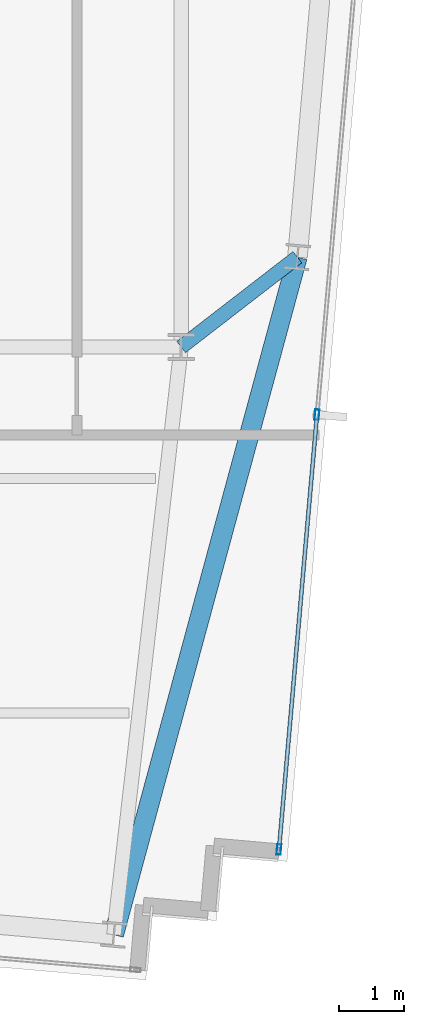
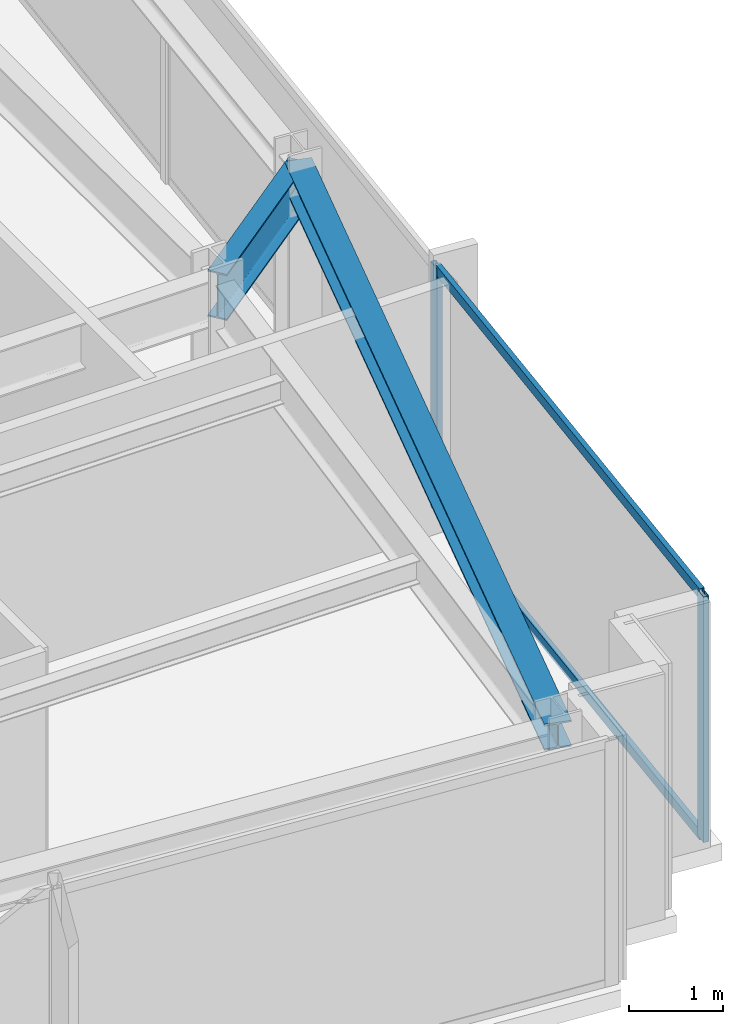
# One storey, part 16 of 33: 4 members, 2 beams, 1 element without a shape of its own.
"""IFC4 building model written with IfcOpenShell, lengths in metres."""

import ifcopenshell
import ifcopenshell.guid

model = None  # the IFC model being written
_history = None  # IfcOwnerHistory: only IFC2X3 demands one
_inside = {}  # id of a spatial element -> (the spatial element, [elements in it])
_under = {}  # id of a project, library or spatial element -> (it, [spatial elements below it])
_declared = {}  # id of a project -> (the project, [libraries it declares])
_typed = {}  # id of a type object -> (the type object, [elements of that type])
_made_of = {}  # id of a material, layer set ... -> (it, [elements and type objects made of it])


def new_model(schema):
    """Start an empty IFC model of exactly this schema.

    Asked for "IFC4X3", IfcOpenShell would pick the latest addendum, in which some entities
    have other attributes; the version numbers below select the first issue.
    IFC2X3 requires an IfcOwnerHistory on every rooted entity: one is made here for all.
    """
    global model, _history
    if schema == "IFC4X3":
        model = ifcopenshell.file(schema_version=(4, 3, 0, 0))
    else:
        model = ifcopenshell.file(schema=schema)
    _inside.clear()
    _under.clear()
    _declared.clear()
    _typed.clear()
    _made_of.clear()
    _history = None
    if model.schema == "IFC2X3":
        org = make("IfcOrganization", Name="unknown")
        user = make(
            "IfcPersonAndOrganization",
            ThePerson=make("IfcPerson", FamilyName="unknown"),
            TheOrganization=org,
        )
        app = make(
            "IfcApplication",
            ApplicationDeveloper=org,
            Version="unknown",
            ApplicationFullName="unknown",
            ApplicationIdentifier="unknown",
        )
        _history = make(
            "IfcOwnerHistory",
            OwningUser=user,
            OwningApplication=app,
            ChangeAction="ADDED",
            CreationDate=0,
        )
    return model


def make(cls, **values):
    """One entity of the class cls with the attributes given. An attribute that is None is left unset."""
    return model.create_entity(
        cls, **{name: value for name, value in values.items() if value is not None}
    )


def rooted(cls, **values):
    """An entity with a GlobalId (a new one), such as an element, a storey or a relation."""
    return make(cls, GlobalId=ifcopenshell.guid.new(), OwnerHistory=_history, **values)


def si_unit(unit_type, name, prefix=None):
    """IfcSIUnit, for example si_unit("LENGTHUNIT", "METRE", prefix="MILLI")."""
    return make("IfcSIUnit", UnitType=unit_type, Prefix=prefix, Name=name)


def assignment(units):
    """IfcUnitAssignment: the units of a project."""
    return None if units is None else make("IfcUnitAssignment", Units=units)


def point(xyz):
    """IfcCartesianPoint."""
    return None if xyz is None else make("IfcCartesianPoint", Coordinates=xyz)


def direction(xyz):
    """IfcDirection."""
    return None if xyz is None else make("IfcDirection", DirectionRatios=xyz)


def frame(location, z_axis=None, x_axis=None):
    """IfcAxis2Placement3D, a coordinate frame: its origin and axes. An axis left out is left unset."""
    return make(
        "IfcAxis2Placement3D",
        Location=point(location),
        Axis=direction(z_axis),
        RefDirection=direction(x_axis),
    )


def frame_2d(location, x_axis=None):
    """IfcAxis2Placement2D, a coordinate frame in the plane: its origin and x axis."""
    return make(
        "IfcAxis2Placement2D", Location=point(location), RefDirection=direction(x_axis)
    )


def origin():
    """The frame at (0, 0, 0) with its axes left unset."""
    return frame((0.0, 0.0, 0.0))


def origin_2d():
    """The frame at (0, 0) in the plane with its x axis left unset."""
    return frame_2d((0.0, 0.0))


def place(relative_to, where):
    """IfcLocalPlacement: puts the frame where relative to a parent placement (None: the world)."""
    return make(
        "IfcLocalPlacement", PlacementRelTo=relative_to, RelativePlacement=where
    )


def context(
    kind, dimensions, precision=None, world=None, true_north=None, identifier=None
):
    """IfcGeometricRepresentationContext, for example the 3D "Model" context."""
    return make(
        "IfcGeometricRepresentationContext",
        ContextIdentifier=identifier,
        ContextType=kind,
        CoordinateSpaceDimension=dimensions,
        Precision=precision,
        WorldCoordinateSystem=world,
        TrueNorth=true_north,
    )


def subcontext(parent, identifier, kind, view, scale=None):
    """IfcGeometricRepresentationSubContext, for example "Body" below "Model"."""
    return make(
        "IfcGeometricRepresentationSubContext",
        ContextIdentifier=identifier,
        ContextType=kind,
        ParentContext=parent,
        TargetScale=scale,
        TargetView=view,
    )


def project(units=None, contexts=None):
    """IfcProject with its units and contexts."""
    return rooted(
        "IfcProject",
        Name="project",
        RepresentationContexts=contexts,
        UnitsInContext=assignment(units),
    )


def spatial(cls, under=None, at=None, **own):
    """A site, building, storey or space (cls), placed at a placement, below another one or the project."""
    s = rooted(cls, ObjectPlacement=at, **own)
    if under is not None:
        _under.setdefault(under.id(), (under, []))[1].append(s)
    return s


def profile(cls, at=None, kind="AREA", **sizes):
    """A parametric profile (cls). Its sizes go by their IFC names, for example OverallWidth=200.0."""
    return make(cls, ProfileType=kind, Position=at, **sizes)


def hollow_rectangle(**sizes):
    """IfcRectangleHollowProfileDef."""
    return profile("IfcRectangleHollowProfileDef", **sizes)


def i_section(**sizes):
    """IfcIShapeProfileDef."""
    return profile("IfcIShapeProfileDef", **sizes)


def extrude(swept, where, along, depth):
    """IfcExtrudedAreaSolid: the profile swept, set in the frame where, extruded along a direction by depth."""
    return make(
        "IfcExtrudedAreaSolid",
        SweptArea=swept,
        Position=where,
        ExtrudedDirection=direction(along),
        Depth=depth,
    )


def shape(context_of_items, identifier, shape_type, items):
    """IfcShapeRepresentation: the items that make up one representation, for example the "Body"."""
    return make(
        "IfcShapeRepresentation",
        ContextOfItems=context_of_items,
        RepresentationIdentifier=identifier,
        RepresentationType=shape_type,
        Items=items,
    )


def material(Name=None, Category=None):
    """IfcMaterial."""
    return make("IfcMaterial", Name=Name, Category=Category)


def material_profile(
    of_material, cross_section, Name=None, Category=None, Priority=None
):
    """IfcMaterialProfile: a cross section and its material."""
    return make(
        "IfcMaterialProfile",
        Name=Name,
        Material=of_material,
        Profile=cross_section,
        Priority=Priority,
        Category=Category,
    )


def profile_set(profiles, Name=None, composite=None):
    """IfcMaterialProfileSet."""
    return make(
        "IfcMaterialProfileSet",
        Name=Name,
        MaterialProfiles=profiles,
        CompositeProfile=composite,
    )


def made_of(thing, what):
    """Note that an element or type object is made of a material, layer set ...; save() writes the relation."""
    if what is not None:
        _made_of.setdefault(what.id(), (what, []))[1].append(thing)
    return thing


def type_object(cls, material=None, **own):
    """A type object (cls), such as IfcWallType, which elements share."""
    return made_of(rooted(cls, **own), material)


def element(
    cls,
    number,
    at=None,
    inside=None,
    cuts=None,
    type_object=None,
    material=None,
    context=None,
    identifier="Body",
    shape_type=None,
    held_by="IfcProductDefinitionShape",
    body=None,
    shapes=None,
    **own,
):
    """One element of the class cls, such as IfcWall. Its Tag is "e" and its number.

    at: its placement. inside: the storey or other place that contains it. cuts: it is an
    opening in that element (IfcRelVoidsElement). A single representation is given by context,
    identifier, shape_type and body (its items); several are given by shapes. held_by: the class
    of the entity that holds the representations. save() writes the other relations.
    """
    e = rooted(cls, Tag="e%d" % number, ObjectPlacement=at, **own)
    if body is not None:
        shapes = [shape(context, identifier, shape_type, body)]
    if shapes is not None:
        e.Representation = make(held_by, Representations=shapes)
    if inside is not None:
        _inside.setdefault(inside.id(), (inside, []))[1].append(e)
    if cuts is not None:
        rooted(
            "IfcRelVoidsElement", RelatingBuildingElement=cuts, RelatedOpeningElement=e
        )
    if type_object is not None:
        _typed.setdefault(type_object.id(), (type_object, []))[1].append(e)
    return made_of(e, material)


def aggregate(whole, parts):
    """IfcRelAggregates: a whole, such as a stair, and the parts it consists of."""
    return rooted("IfcRelAggregates", RelatingObject=whole, RelatedObjects=parts)


def save(model, path):
    """Write the relations noted so far, then the file.

    IfcRelAggregates (storeys below a building ...), IfcRelContainedInSpatialStructure (elements
    in a storey), IfcRelDefinesByType, IfcRelAssociatesMaterial and IfcRelDeclares: one each for
    every whole, place, type object, material and project.
    """
    for whole, parts in _under.values():
        aggregate(whole, parts)
    for where, things in _inside.values():
        rooted(
            "IfcRelContainedInSpatialStructure",
            RelatedElements=things,
            RelatingStructure=where,
        )
    for kind, things in _typed.values():
        rooted("IfcRelDefinesByType", RelatedObjects=things, RelatingType=kind)
    for what, things in _made_of.values():
        rooted("IfcRelAssociatesMaterial", RelatedObjects=things, RelatingMaterial=what)
    for by, libraries in _declared.values():
        rooted("IfcRelDeclares", RelatingContext=by, RelatedDefinitions=libraries)
    model.write(path)


model = new_model("IFC4")

# Units and contexts
model_context = context("Model", 3, precision=1e-05, world=origin(), true_north=direction((0.0, 1.0)))
body_context = subcontext(model_context, "Body", "Model", "MODEL_VIEW")
ifc_project = project(units=[si_unit("LENGTHUNIT", "METRE"), si_unit("AREAUNIT", "SQUARE_METRE"), si_unit("VOLUMEUNIT", "CUBIC_METRE"), si_unit("PLANEANGLEUNIT", "RADIAN"), si_unit("MASSUNIT", "GRAM", prefix="KILO")], contexts=[model_context])

# Site, building, storey
site_placement = place(None, origin())
site = spatial("IfcSite", under=ifc_project, at=site_placement, CompositionType="ELEMENT")
building_placement = place(site_placement, origin())
building = spatial("IfcBuilding", under=site, at=building_placement, Name="Yelkora Congress Tower", CompositionType="ELEMENT")
storey_placement = place(building_placement, frame((0.0, 0.0, 286.300048828125)))
storey = spatial("IfcBuildingStorey", under=building, at=storey_placement, Name="L80", CompositionType="ELEMENT", Elevation=286.300048828125)

# Beams
ifc_material_1 = material(Name="Steel S355J2", Category="steel")
ifc_material_profile_1 = material_profile(ifc_material_1, i_section(OverallWidth=0.219970703125, OverallDepth=0.60009765625, WebThickness=0.011962890625, FlangeThickness=0.01904296875, FilletRadius=0.02392578125, at=origin_2d()), Name="IPE 600")
ifc_profile_set_1 = profile_set([ifc_material_profile_1], Name="Steel S355J2")
beam_type_1 = type_object("IfcBeamType", Name="BM-GIRD-IPE600", PredefinedType="BEAM", material=ifc_profile_set_1)
beam_1_placement = place(storey_placement, frame((55.543701171875, 26.57861328125, 2.8798828125), z_axis=(-0.791208781933, -0.611546125318, 0.0), x_axis=(0.611546125318, -0.791208781933, 0.0)))
element("IfcBeam", 1, at=beam_1_placement, inside=storey, type_object=beam_type_1, Name="L80 Primary Frame Girder E01", PredefinedType="BEAM", context=body_context, shape_type="SweptSolid", body=[
    extrude(i_section(OverallWidth=0.219970703125, OverallDepth=0.60009765625, WebThickness=0.011962890625, FlangeThickness=0.01904296875, FilletRadius=0.02392578125, at=origin_2d()), origin(), (0.0, 0.0, 1.0), 2.25439453125),
])
ifc_material_profile_2 = material_profile(ifc_material_1, i_section(OverallWidth=0.300048828125, OverallDepth=0.340087890625, WebThickness=0.011962890625, FlangeThickness=0.021484375, FilletRadius=0.027099609375, at=origin_2d()), Name="HEB 340")
ifc_profile_set_2 = profile_set([ifc_material_profile_2], Name="Steel S355J2")
beam_type_2 = type_object("IfcBeamType", Name="BM-SPAN-HEB340", PredefinedType="SPANDREL", material=ifc_profile_set_2)
beam_2_placement = place(storey_placement, frame((52.727294921875, 16.1845703125, 3.010009765625), z_axis=(0.261532523212, 0.965194663942, 0.0), x_axis=(-0.965194663942, 0.261532523212, 0.0)))
element("IfcBeam", 2, at=beam_2_placement, inside=storey, type_object=beam_type_2, Name="L80 Perimeter Beam 7", PredefinedType="SPANDREL", context=body_context, shape_type="SweptSolid", body=[
    extrude(i_section(OverallWidth=0.300048828125, OverallDepth=0.340087890625, WebThickness=0.011962890625, FlangeThickness=0.021484375, FilletRadius=0.027099609375, at=origin_2d()), origin(), (0.0, 0.0, 1.0), 10.768798828125),
])

# Curtain wall, members
ifc_material_2 = material(Name="Anodised aluminium and insulated glass", Category="aluminium")
curtain_wall_type = type_object("IfcCurtainWallType", Name="CW-SYS-B5", PredefinedType="NOTDEFINED", material=ifc_material_2)
curtain_wall_placement = place(storey_placement, origin())
curtain_wall = element("IfcCurtainWall", 3, at=curtain_wall_placement, inside=storey, type_object=curtain_wall_type, Name="L80 Unitised Curtain Wall 15", PredefinedType="NOTDEFINED")
ifc_material_3 = material(Name="Anodised aluminium 6063-T6", Category="aluminium")
ifc_material_profile_3 = material_profile(ifc_material_3, hollow_rectangle(XDim=0.06494140625, YDim=0.159912109375, WallThickness=0.00390625, at=origin_2d()), Name="ALU 65x160x4")
ifc_profile_set_3 = profile_set([ifc_material_profile_3], Name="Anodised aluminium 6063-T6")
member_type_1 = type_object("IfcMemberType", Name="MEM-ML-B5", PredefinedType="MULLION", material=ifc_profile_set_3)
member_1_placement = place(storey_placement, frame((55.844482421875, 24.1630859375, 0.0), z_axis=(0.0, 0.0, 1.0), x_axis=(0.996194463398, -0.087158425264, 0.0)))
member_1 = element("IfcMember", 4, at=member_1_placement, type_object=member_type_1, Name="CW-B5 mullion 4", PredefinedType="MULLION", context=body_context, shape_type="SweptSolid", body=[
    extrude(hollow_rectangle(XDim=0.06494140625, YDim=0.159912109375, WallThickness=0.00390625, at=origin_2d()), origin(), (0.0, 0.0, 1.0), 3.179931640625),
])
member_2_placement = place(storey_placement, frame((55.2607421875, 17.4912109375, 0.0), z_axis=(0.0, 0.0, 1.0), x_axis=(0.996194463398, -0.087158425264, 0.0)))
member_2 = element("IfcMember", 5, at=member_2_placement, type_object=member_type_1, Name="CW-B5 mullion 5", PredefinedType="MULLION", context=body_context, shape_type="SweptSolid", body=[
    extrude(hollow_rectangle(XDim=0.06494140625, YDim=0.159912109375, WallThickness=0.00390625, at=origin_2d()), origin(), (0.0, 0.0, 1.0), 3.179931640625),
])
ifc_material_profile_4 = material_profile(ifc_material_3, hollow_rectangle(XDim=0.06005859375, YDim=0.1298828125, WallThickness=0.00390625, at=origin_2d()), Name="ALU 60x130x4")
ifc_profile_set_4 = profile_set([ifc_material_profile_4], Name="Anodised aluminium 6063-T6")
member_type_2 = type_object("IfcMemberType", Name="MEM-TR-B5", PredefinedType="USERDEFINED", material=ifc_profile_set_4)
member_3_placement = place(storey_placement, frame((55.841552734375, 24.130859375, 0.030029296875), z_axis=(-0.087163297365, -0.996194037119, 0.0), x_axis=(0.996194037119, -0.087163297365, 0.0)))
member_3 = element("IfcMember", 6, at=member_3_placement, type_object=member_type_2, Name="CW-B5 transom 4.1", ObjectType="TRANSOM", PredefinedType="USERDEFINED", context=body_context, shape_type="SweptSolid", body=[
    extrude(hollow_rectangle(XDim=0.06005859375, YDim=0.1298828125, WallThickness=0.00390625, at=origin_2d()), origin(), (0.0, 0.0, 1.0), 6.632568359375),
])
member_4_placement = place(storey_placement, frame((55.841552734375, 24.130859375, 3.14990234375), z_axis=(-0.087163297365, -0.996194037119, 0.0), x_axis=(0.996194037119, -0.087163297365, 0.0)))
member_4 = element("IfcMember", 7, at=member_4_placement, type_object=member_type_2, Name="CW-B5 transom 4.2", ObjectType="TRANSOM", PredefinedType="USERDEFINED", context=body_context, shape_type="SweptSolid", body=[
    extrude(hollow_rectangle(XDim=0.06005859375, YDim=0.1298828125, WallThickness=0.00390625, at=origin_2d()), origin(), (0.0, 0.0, 1.0), 6.632568359375),
])
aggregate(curtain_wall, [member_1, member_2, member_3, member_4])

save(model, "model.ifc")
